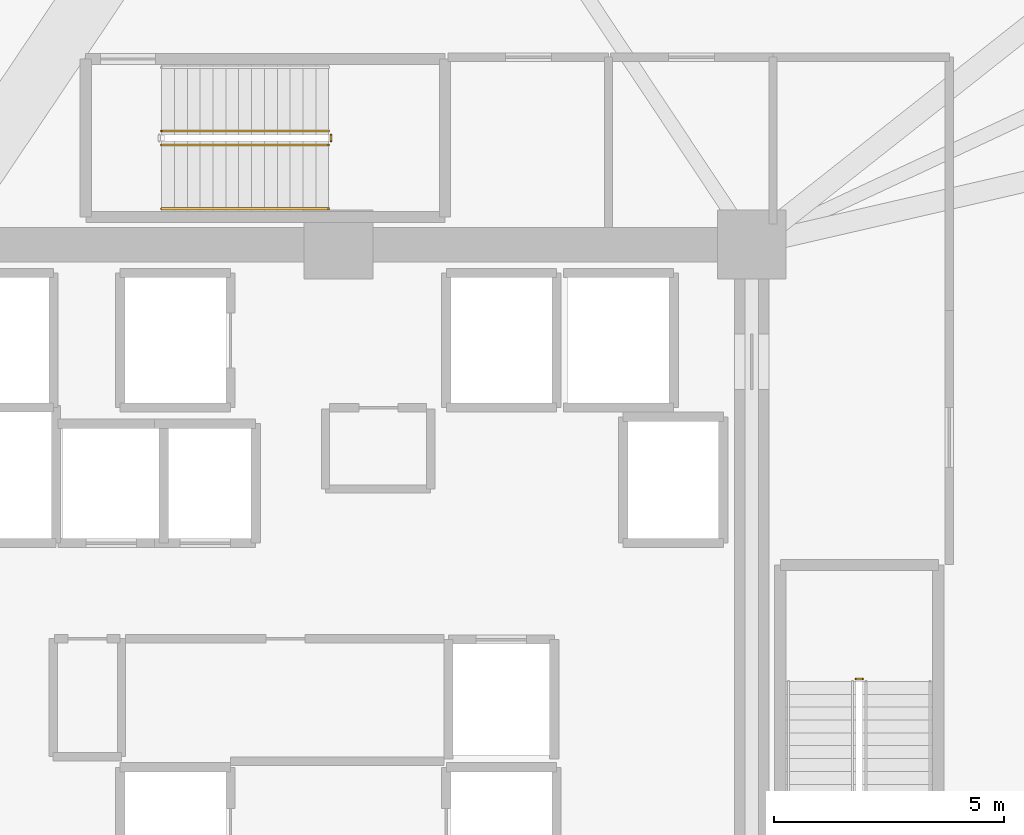
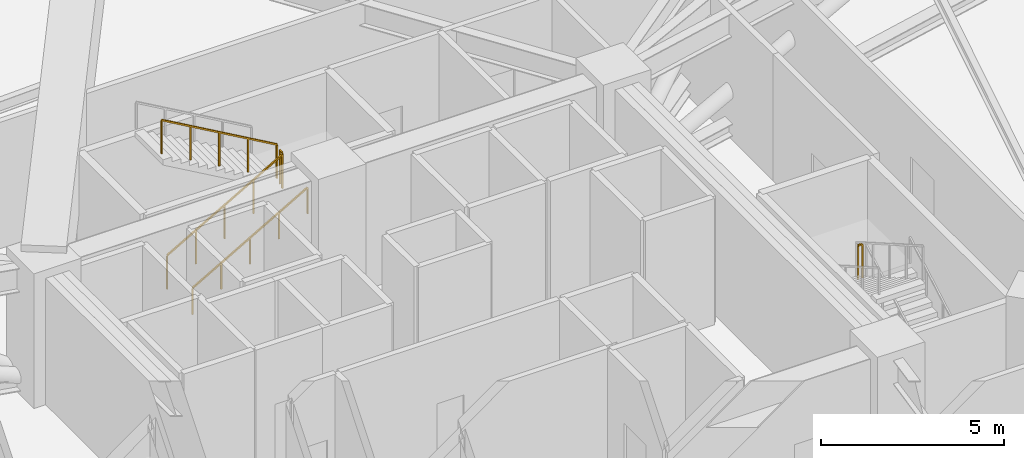
# One storey, part 26 of 27: 5 railings.
"""IFC4 building model written with IfcOpenShell, lengths in metres."""

from ifc_helpers import new_model, si_unit, direction, frame, origin, origin_2d, place, context, subcontext, project, spatial, rectangle, extrude, material, type_object, element, save


model = new_model("IFC4")

# Units and contexts
model_context = context("Model", 3, precision=1e-05, world=origin(), true_north=direction((0.0, 1.0)))
body_context = subcontext(model_context, "Body", "Model", "MODEL_VIEW")
ifc_project = project(units=[si_unit("LENGTHUNIT", "METRE"), si_unit("AREAUNIT", "SQUARE_METRE"), si_unit("VOLUMEUNIT", "CUBIC_METRE"), si_unit("PLANEANGLEUNIT", "RADIAN"), si_unit("MASSUNIT", "GRAM", prefix="KILO")], contexts=[model_context])

# Site, building, storey
site_placement = place(None, origin())
site = spatial("IfcSite", under=ifc_project, at=site_placement, CompositionType="ELEMENT")
building_placement = place(site_placement, origin())
building = spatial("IfcBuilding", under=site, at=building_placement, Name="Liaohun Quay Tower", CompositionType="ELEMENT")
storey_placement = place(building_placement, frame((0.0, 0.0, 185.25)))
storey = spatial("IfcBuildingStorey", under=building, at=storey_placement, Name="L48", CompositionType="ELEMENT", Elevation=185.25)

# Railings
ifc_material_1 = material(Name="Painted tubular steel", Category="steel")
railing_type_1 = type_object("IfcRailingType", Name="RLG-GUARD-STR", PredefinedType="GUARDRAIL", material=ifc_material_1)
railing_1_placement = place(storey_placement, frame((71.409912109375, 52.0400390625, 2.25)))
element("IfcRailing", 1, at=railing_1_placement, inside=storey, type_object=railing_type_1, Name="L48 ST-2 stair guard 2", PredefinedType="GUARDRAIL", context=body_context, shape_type="SweptSolid", body=[
    extrude(rectangle(XDim=0.048095703125, YDim=0.048095703125, at=origin_2d()), frame((0.0, 0.0, 1.1259765625), z_axis=(-1.0, 0.0, 0.0), x_axis=(0.0, -1.0, 0.0)), (0.0, 0.0, 1.0), 0.139892578125),
    extrude(rectangle(XDim=0.0419921875, YDim=0.0419921875, at=origin_2d()), origin(), (0.0, 0.0, 1.0), 1.101806640625),
    extrude(rectangle(XDim=0.0419921875, YDim=0.0419921875, at=origin_2d()), frame((-0.139892578125, 0.0, 0.0)), (0.0, 0.0, 1.0), 1.101806640625),
])
railing_2_placement = place(storey_placement, frame((56.14990234375, 63.669921875, 0.16064453125)))
element("IfcRailing", 2, at=railing_2_placement, inside=storey, type_object=railing_type_1, Name="L48 ST-3 stair guard 1", PredefinedType="GUARDRAIL", context=body_context, shape_type="SweptSolid", body=[
    extrude(rectangle(XDim=0.048095703125, YDim=0.048095703125, at=origin_2d()), frame((0.0, 0.0, 1.1259765625), z_axis=(0.867289372828, 0.0, 0.497804322781), x_axis=(0.0, 1.0, 0.0)), (0.0, 0.0, 1.0), 4.197021484375),
    extrude(rectangle(XDim=0.0419921875, YDim=0.0419921875, at=origin_2d()), origin(), (0.0, 0.0, 1.0), 1.101806640625),
    extrude(rectangle(XDim=0.0419921875, YDim=0.0419921875, at=origin_2d()), frame((0.91015625, 0.0, 0.5224609375)), (0.0, 0.0, 1.0), 1.101806640625),
    extrude(rectangle(XDim=0.0419921875, YDim=0.0419921875, at=origin_2d()), frame((1.820068359375, 0.0, 1.044677734375)), (0.0, 0.0, 1.0), 1.101806640625),
    extrude(rectangle(XDim=0.0419921875, YDim=0.0419921875, at=origin_2d()), frame((2.72998046875, 0.0, 1.56689453125)), (0.0, 0.0, 1.0), 1.101806640625),
    extrude(rectangle(XDim=0.0419921875, YDim=0.0419921875, at=origin_2d()), frame((3.64013671875, 0.0, 2.08935546875)), (0.0, 0.0, 1.0), 1.101806640625),
])
railing_3_placement = place(storey_placement, frame((59.840087890625, 63.75, 2.25)))
element("IfcRailing", 3, at=railing_3_placement, inside=storey, type_object=railing_type_1, Name="L48 ST-3 stair guard 2", PredefinedType="GUARDRAIL", context=body_context, shape_type="SweptSolid", body=[
    extrude(rectangle(XDim=0.048095703125, YDim=0.048095703125, at=origin_2d()), frame((0.0, 0.0, 1.1259765625), z_axis=(0.0, 1.0, 0.0), x_axis=(-1.0, 0.0, 0.0)), (0.0, 0.0, 1.0), 0.139892578125),
    extrude(rectangle(XDim=0.0419921875, YDim=0.0419921875, at=origin_2d()), origin(), (0.0, 0.0, 1.0), 1.101806640625),
    extrude(rectangle(XDim=0.0419921875, YDim=0.0419921875, at=origin_2d()), frame((0.0, 0.139892578125, 0.0)), (0.0, 0.0, 1.0), 1.101806640625),
])
railing_4_placement = place(storey_placement, frame((59.7900390625, 63.969970703125, 2.41064453125)))
element("IfcRailing", 4, at=railing_4_placement, inside=storey, type_object=railing_type_1, Name="L48 ST-3 stair guard 3", PredefinedType="GUARDRAIL", context=body_context, shape_type="SweptSolid", body=[
    extrude(rectangle(XDim=0.048095703125, YDim=0.048095703125, at=origin_2d()), frame((0.0, 0.0, 1.1259765625), z_axis=(-0.867289372828, 0.0, 0.497804322781), x_axis=(0.0, -1.0, 0.0)), (0.0, 0.0, 1.0), 4.197021484375),
    extrude(rectangle(XDim=0.0419921875, YDim=0.0419921875, at=origin_2d()), origin(), (0.0, 0.0, 1.0), 1.101806640625),
    extrude(rectangle(XDim=0.0419921875, YDim=0.0419921875, at=origin_2d()), frame((-0.91015625, 0.0, 0.5224609375)), (0.0, 0.0, 1.0), 1.101806640625),
    extrude(rectangle(XDim=0.0419921875, YDim=0.0419921875, at=origin_2d()), frame((-1.820068359375, 0.0, 1.044677734375)), (0.0, 0.0, 1.0), 1.101806640625),
    extrude(rectangle(XDim=0.0419921875, YDim=0.0419921875, at=origin_2d()), frame((-2.72998046875, 0.0, 1.56689453125)), (0.0, 0.0, 1.0), 1.101806640625),
    extrude(rectangle(XDim=0.0419921875, YDim=0.0419921875, at=origin_2d()), frame((-3.64013671875, 0.0, 2.08935546875)), (0.0, 0.0, 1.0), 1.101806640625),
])
ifc_material_2 = material(Name="Brushed stainless steel", Category="steel")
railing_type_2 = type_object("IfcRailingType", Name="RLG-HND-STR", PredefinedType="HANDRAIL", material=ifc_material_2)
railing_5_placement = place(storey_placement, frame((56.14990234375, 62.280029296875, 0.16064453125)))
element("IfcRailing", 5, at=railing_5_placement, inside=storey, type_object=railing_type_2, Name="L48 ST-3 stair handrail 1", PredefinedType="HANDRAIL", context=body_context, shape_type="SweptSolid", body=[
    extrude(rectangle(XDim=0.048095703125, YDim=0.048095703125, at=origin_2d()), frame((0.0, 0.0, 0.8759765625), z_axis=(0.867289372828, 0.0, 0.497804322781), x_axis=(0.0, 1.0, 0.0)), (0.0, 0.0, 1.0), 4.197021484375),
    extrude(rectangle(XDim=0.0419921875, YDim=0.0419921875, at=origin_2d()), origin(), (0.0, 0.0, 1.0), 0.851806640625),
    extrude(rectangle(XDim=0.0419921875, YDim=0.0419921875, at=origin_2d()), frame((0.91015625, 0.0, 0.5224609375)), (0.0, 0.0, 1.0), 0.851806640625),
    extrude(rectangle(XDim=0.0419921875, YDim=0.0419921875, at=origin_2d()), frame((1.820068359375, 0.0, 1.044677734375)), (0.0, 0.0, 1.0), 0.851806640625),
    extrude(rectangle(XDim=0.0419921875, YDim=0.0419921875, at=origin_2d()), frame((2.72998046875, 0.0, 1.56689453125)), (0.0, 0.0, 1.0), 0.851806640625),
    extrude(rectangle(XDim=0.0419921875, YDim=0.0419921875, at=origin_2d()), frame((3.64013671875, 0.0, 2.08935546875)), (0.0, 0.0, 1.0), 0.851806640625),
])

save(model, "model.ifc")
